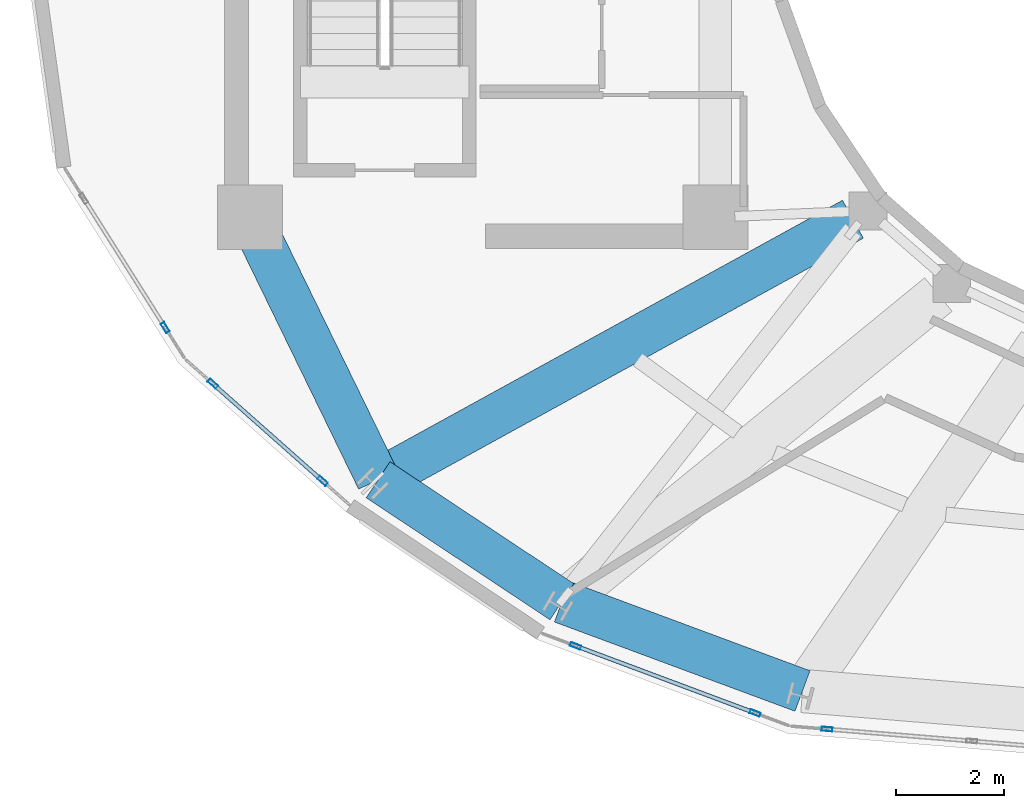
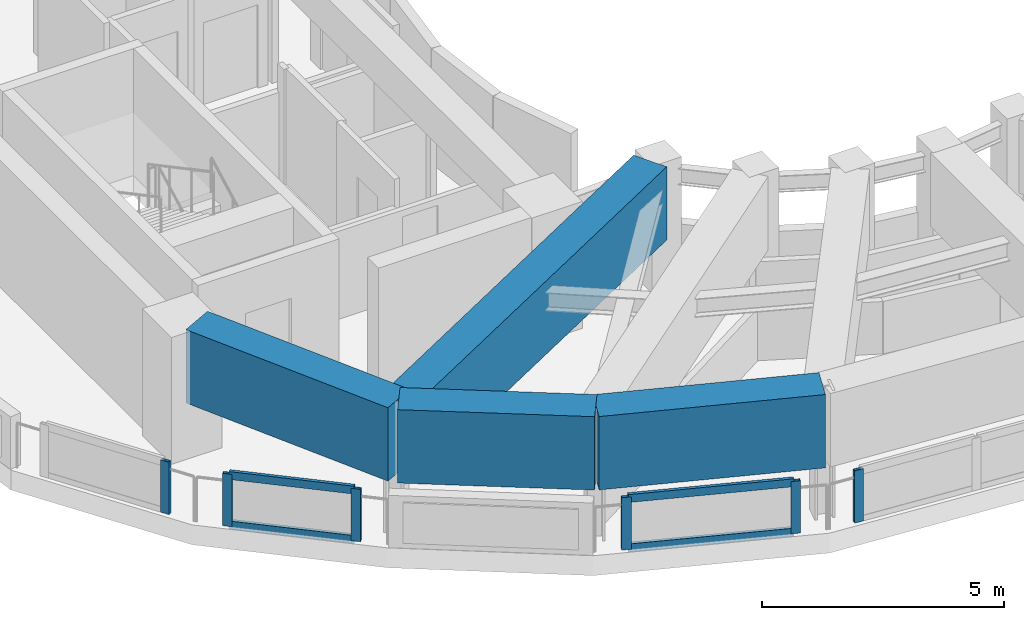
# One storey, part 2 of 21: 10 members, 4 beams, 4 elements without a shape of their own.
"""IFC4 building model written with IfcOpenShell, lengths in metres."""

import ifcopenshell
import ifcopenshell.guid

model = None  # the IFC model being written
_history = None  # IfcOwnerHistory: only IFC2X3 demands one
_inside = {}  # id of a spatial element -> (the spatial element, [elements in it])
_under = {}  # id of a project, library or spatial element -> (it, [spatial elements below it])
_declared = {}  # id of a project -> (the project, [libraries it declares])
_typed = {}  # id of a type object -> (the type object, [elements of that type])
_made_of = {}  # id of a material, layer set ... -> (it, [elements and type objects made of it])


def new_model(schema):
    """Start an empty IFC model of exactly this schema.

    Asked for "IFC4X3", IfcOpenShell would pick the latest addendum, in which some entities
    have other attributes; the version numbers below select the first issue.
    IFC2X3 requires an IfcOwnerHistory on every rooted entity: one is made here for all.
    """
    global model, _history
    if schema == "IFC4X3":
        model = ifcopenshell.file(schema_version=(4, 3, 0, 0))
    else:
        model = ifcopenshell.file(schema=schema)
    _inside.clear()
    _under.clear()
    _declared.clear()
    _typed.clear()
    _made_of.clear()
    _history = None
    if model.schema == "IFC2X3":
        org = make("IfcOrganization", Name="unknown")
        user = make(
            "IfcPersonAndOrganization",
            ThePerson=make("IfcPerson", FamilyName="unknown"),
            TheOrganization=org,
        )
        app = make(
            "IfcApplication",
            ApplicationDeveloper=org,
            Version="unknown",
            ApplicationFullName="unknown",
            ApplicationIdentifier="unknown",
        )
        _history = make(
            "IfcOwnerHistory",
            OwningUser=user,
            OwningApplication=app,
            ChangeAction="ADDED",
            CreationDate=0,
        )
    return model


def make(cls, **values):
    """One entity of the class cls with the attributes given. An attribute that is None is left unset."""
    return model.create_entity(
        cls, **{name: value for name, value in values.items() if value is not None}
    )


def rooted(cls, **values):
    """An entity with a GlobalId (a new one), such as an element, a storey or a relation."""
    return make(cls, GlobalId=ifcopenshell.guid.new(), OwnerHistory=_history, **values)


def si_unit(unit_type, name, prefix=None):
    """IfcSIUnit, for example si_unit("LENGTHUNIT", "METRE", prefix="MILLI")."""
    return make("IfcSIUnit", UnitType=unit_type, Prefix=prefix, Name=name)


def assignment(units):
    """IfcUnitAssignment: the units of a project."""
    return None if units is None else make("IfcUnitAssignment", Units=units)


def point(xyz):
    """IfcCartesianPoint."""
    return None if xyz is None else make("IfcCartesianPoint", Coordinates=xyz)


def direction(xyz):
    """IfcDirection."""
    return None if xyz is None else make("IfcDirection", DirectionRatios=xyz)


def frame(location, z_axis=None, x_axis=None):
    """IfcAxis2Placement3D, a coordinate frame: its origin and axes. An axis left out is left unset."""
    return make(
        "IfcAxis2Placement3D",
        Location=point(location),
        Axis=direction(z_axis),
        RefDirection=direction(x_axis),
    )


def frame_2d(location, x_axis=None):
    """IfcAxis2Placement2D, a coordinate frame in the plane: its origin and x axis."""
    return make(
        "IfcAxis2Placement2D", Location=point(location), RefDirection=direction(x_axis)
    )


def origin():
    """The frame at (0, 0, 0) with its axes left unset."""
    return frame((0.0, 0.0, 0.0))


def origin_2d():
    """The frame at (0, 0) in the plane with its x axis left unset."""
    return frame_2d((0.0, 0.0))


def place(relative_to, where):
    """IfcLocalPlacement: puts the frame where relative to a parent placement (None: the world)."""
    return make(
        "IfcLocalPlacement", PlacementRelTo=relative_to, RelativePlacement=where
    )


def context(
    kind, dimensions, precision=None, world=None, true_north=None, identifier=None
):
    """IfcGeometricRepresentationContext, for example the 3D "Model" context."""
    return make(
        "IfcGeometricRepresentationContext",
        ContextIdentifier=identifier,
        ContextType=kind,
        CoordinateSpaceDimension=dimensions,
        Precision=precision,
        WorldCoordinateSystem=world,
        TrueNorth=true_north,
    )


def subcontext(parent, identifier, kind, view, scale=None):
    """IfcGeometricRepresentationSubContext, for example "Body" below "Model"."""
    return make(
        "IfcGeometricRepresentationSubContext",
        ContextIdentifier=identifier,
        ContextType=kind,
        ParentContext=parent,
        TargetScale=scale,
        TargetView=view,
    )


def project(units=None, contexts=None):
    """IfcProject with its units and contexts."""
    return rooted(
        "IfcProject",
        Name="project",
        RepresentationContexts=contexts,
        UnitsInContext=assignment(units),
    )


def spatial(cls, under=None, at=None, **own):
    """A site, building, storey or space (cls), placed at a placement, below another one or the project."""
    s = rooted(cls, ObjectPlacement=at, **own)
    if under is not None:
        _under.setdefault(under.id(), (under, []))[1].append(s)
    return s


def profile(cls, at=None, kind="AREA", **sizes):
    """A parametric profile (cls). Its sizes go by their IFC names, for example OverallWidth=200.0."""
    return make(cls, ProfileType=kind, Position=at, **sizes)


def rectangle(**sizes):
    """IfcRectangleProfileDef."""
    return profile("IfcRectangleProfileDef", **sizes)


def hollow_rectangle(**sizes):
    """IfcRectangleHollowProfileDef."""
    return profile("IfcRectangleHollowProfileDef", **sizes)


def extrude(swept, where, along, depth):
    """IfcExtrudedAreaSolid: the profile swept, set in the frame where, extruded along a direction by depth."""
    return make(
        "IfcExtrudedAreaSolid",
        SweptArea=swept,
        Position=where,
        ExtrudedDirection=direction(along),
        Depth=depth,
    )


def shape(context_of_items, identifier, shape_type, items):
    """IfcShapeRepresentation: the items that make up one representation, for example the "Body"."""
    return make(
        "IfcShapeRepresentation",
        ContextOfItems=context_of_items,
        RepresentationIdentifier=identifier,
        RepresentationType=shape_type,
        Items=items,
    )


def material(Name=None, Category=None):
    """IfcMaterial."""
    return make("IfcMaterial", Name=Name, Category=Category)


def layer(
    of_material, thickness, ventilated=None, Name=None, Category=None, Priority=None
):
    """IfcMaterialLayer: one layer of a wall or slab, of a material (None: an air gap)."""
    return make(
        "IfcMaterialLayer",
        Material=of_material,
        LayerThickness=thickness,
        IsVentilated=ventilated,
        Name=Name,
        Category=Category,
        Priority=Priority,
    )


def layer_set(layers, Name=None):
    """IfcMaterialLayerSet."""
    return make("IfcMaterialLayerSet", MaterialLayers=layers, LayerSetName=Name)


def material_profile(
    of_material, cross_section, Name=None, Category=None, Priority=None
):
    """IfcMaterialProfile: a cross section and its material."""
    return make(
        "IfcMaterialProfile",
        Name=Name,
        Material=of_material,
        Profile=cross_section,
        Priority=Priority,
        Category=Category,
    )


def profile_set(profiles, Name=None, composite=None):
    """IfcMaterialProfileSet."""
    return make(
        "IfcMaterialProfileSet",
        Name=Name,
        MaterialProfiles=profiles,
        CompositeProfile=composite,
    )


def made_of(thing, what):
    """Note that an element or type object is made of a material, layer set ...; save() writes the relation."""
    if what is not None:
        _made_of.setdefault(what.id(), (what, []))[1].append(thing)
    return thing


def type_object(cls, material=None, **own):
    """A type object (cls), such as IfcWallType, which elements share."""
    return made_of(rooted(cls, **own), material)


def element(
    cls,
    number,
    at=None,
    inside=None,
    cuts=None,
    type_object=None,
    material=None,
    context=None,
    identifier="Body",
    shape_type=None,
    held_by="IfcProductDefinitionShape",
    body=None,
    shapes=None,
    **own,
):
    """One element of the class cls, such as IfcWall. Its Tag is "e" and its number.

    at: its placement. inside: the storey or other place that contains it. cuts: it is an
    opening in that element (IfcRelVoidsElement). A single representation is given by context,
    identifier, shape_type and body (its items); several are given by shapes. held_by: the class
    of the entity that holds the representations. save() writes the other relations.
    """
    e = rooted(cls, Tag="e%d" % number, ObjectPlacement=at, **own)
    if body is not None:
        shapes = [shape(context, identifier, shape_type, body)]
    if shapes is not None:
        e.Representation = make(held_by, Representations=shapes)
    if inside is not None:
        _inside.setdefault(inside.id(), (inside, []))[1].append(e)
    if cuts is not None:
        rooted(
            "IfcRelVoidsElement", RelatingBuildingElement=cuts, RelatedOpeningElement=e
        )
    if type_object is not None:
        _typed.setdefault(type_object.id(), (type_object, []))[1].append(e)
    return made_of(e, material)


def aggregate(whole, parts):
    """IfcRelAggregates: a whole, such as a stair, and the parts it consists of."""
    return rooted("IfcRelAggregates", RelatingObject=whole, RelatedObjects=parts)


def save(model, path):
    """Write the relations noted so far, then the file.

    IfcRelAggregates (storeys below a building ...), IfcRelContainedInSpatialStructure (elements
    in a storey), IfcRelDefinesByType, IfcRelAssociatesMaterial and IfcRelDeclares: one each for
    every whole, place, type object, material and project.
    """
    for whole, parts in _under.values():
        aggregate(whole, parts)
    for where, things in _inside.values():
        rooted(
            "IfcRelContainedInSpatialStructure",
            RelatedElements=things,
            RelatingStructure=where,
        )
    for kind, things in _typed.values():
        rooted("IfcRelDefinesByType", RelatedObjects=things, RelatingType=kind)
    for what, things in _made_of.values():
        rooted("IfcRelAssociatesMaterial", RelatedObjects=things, RelatingMaterial=what)
    for by, libraries in _declared.values():
        rooted("IfcRelDeclares", RelatingContext=by, RelatedDefinitions=libraries)
    model.write(path)


model = new_model("IFC4")

# Units and contexts
model_context = context("Model", 3, precision=1e-05, world=origin(), true_north=direction((0.0, 1.0)))
body_context = subcontext(model_context, "Body", "Model", "MODEL_VIEW")
ifc_project = project(units=[si_unit("LENGTHUNIT", "METRE"), si_unit("AREAUNIT", "SQUARE_METRE"), si_unit("VOLUMEUNIT", "CUBIC_METRE"), si_unit("PLANEANGLEUNIT", "RADIAN"), si_unit("MASSUNIT", "GRAM", prefix="KILO")], contexts=[model_context])

# Site, building, storey
site_placement = place(None, origin())
site = spatial("IfcSite", under=ifc_project, at=site_placement, CompositionType="ELEMENT")
building_placement = place(site_placement, origin())
building = spatial("IfcBuilding", under=site, at=building_placement, Name="Solvane Sanctuary Tower", CompositionType="ELEMENT")
storey_placement = place(building_placement, frame((0.0, 0.0, 260.39990234375)))
storey = spatial("IfcBuildingStorey", under=building, at=storey_placement, Name="L79", CompositionType="ELEMENT", Elevation=260.39990234375)

# Beams
ifc_material_1 = material(Name="Concrete C70/85", Category="concrete")
ifc_material_profile_1 = material_profile(ifc_material_1, rectangle(XDim=0.800048828125, YDim=1.85009765625, at=origin_2d()), Name="RC800X1850")
ifc_profile_set_1 = profile_set([ifc_material_profile_1], Name="Concrete C70/85")
beam_type = type_object("IfcBeamType", Name="Beam B-XFER-BLK RC800X1850", PredefinedType="BEAM", material=ifc_profile_set_1)
beam_1_placement = place(storey_placement, frame((26.444580078125, 16.86376953125, 2.275146484375), z_axis=(-0.876295544631, -0.481773928787, 0.0), x_axis=(0.481773928787, -0.876295544631, 0.0)))
element("IfcBeam", 1, at=beam_1_placement, inside=storey, type_object=beam_type, Name="L79 Block-Shift Radial Transfer Girder 08A", PredefinedType="BEAM", context=body_context, shape_type="SweptSolid", body=[
    extrude(rectangle(XDim=0.800048828125, YDim=1.85009765625, at=origin_2d()), origin(), (0.0, 0.0, 1.0), 10.03125),
])
beam_2_placement = place(storey_placement, frame((15.457763671875, 16.576416015625, 2.275146484375), z_axis=(0.438353943191, -0.898802436851, 0.0), x_axis=(0.898802436851, 0.438353943191, 0.0)))
element("IfcBeam", 2, at=beam_2_placement, inside=storey, type_object=beam_type, Name="L79 Perimeter Step Transfer Ring CW1-NTC08", PredefinedType="BEAM", context=body_context, shape_type="SweptSolid", body=[
    extrude(rectangle(XDim=0.800048828125, YDim=1.85009765625, at=origin_2d()), origin(), (0.0, 0.0, 1.0), 5.038818359375),
])
beam_3_placement = place(storey_placement, frame((17.66650390625, 12.047607421875, 2.275146484375), z_axis=(0.833190720358, -0.552985735357, 0.0), x_axis=(0.552985735357, 0.833190720358, 0.0)))
element("IfcBeam", 3, at=beam_3_placement, inside=storey, type_object=beam_type, Name="L79 Perimeter Step Transfer Ring NTC08-NTC09", PredefinedType="BEAM", context=body_context, shape_type="SweptSolid", body=[
    extrude(rectangle(XDim=0.800048828125, YDim=1.85009765625, at=origin_2d()), origin(), (0.0, 0.0, 1.0), 4.07763671875),
])
beam_4_placement = place(storey_placement, frame((21.06396484375, 9.792724609375, 2.275146484375), z_axis=(0.937541853236, -0.347872495939, 0.0), x_axis=(0.347872495939, 0.937541853236, 0.0)))
element("IfcBeam", 4, at=beam_4_placement, inside=storey, type_object=beam_type, Name="L79 Perimeter Step Transfer Ring NTC09-NTC10", PredefinedType="BEAM", context=body_context, shape_type="SweptSolid", body=[
    extrude(rectangle(XDim=0.800048828125, YDim=1.85009765625, at=origin_2d()), origin(), (0.0, 0.0, 1.0), 4.74365234375),
])

# Curtain wall, member
ifc_material_2 = material(Name="Anodised Aluminium 6063-T6", Category="aluminium")
ifc_layer = layer(ifc_material_2, 0.219970703125, Name="Anodised Aluminium 6063-T6")
ifc_layer_set = layer_set([ifc_layer], Name="Anodised Aluminium 6063-T6")
curtain_wall_type = type_object("IfcCurtainWallType", Name="Curtain Wall CW-CROWN", PredefinedType="NOTDEFINED", material=ifc_layer_set)
curtain_wall_1_placement = place(storey_placement, origin())
curtain_wall_1 = element("IfcCurtainWall", 5, at=curtain_wall_1_placement, inside=storey, type_object=curtain_wall_type, Name="L79 Crown Fritted Lantern Curtain Wall 13", PredefinedType="NOTDEFINED")
ifc_material_profile_2 = material_profile(ifc_material_2, hollow_rectangle(XDim=0.074951171875, YDim=0.199951171875, WallThickness=0.00390625, at=origin_2d()), Name="ALU200X75X4")
ifc_profile_set_2 = profile_set([ifc_material_profile_2], Name="Anodised Aluminium 6063-T6")
member_type_1 = type_object("IfcMemberType", Name="Member M-CW-MUL-1 ALU200X75X4", PredefinedType="MULLION", material=ifc_profile_set_2)
member_1_placement = place(storey_placement, frame((13.730712890625, 14.86083984375, 0.0), z_axis=(0.0, 0.0, 1.0), x_axis=(0.845808282613, 0.533486971784, 0.0)))
member_1 = element("IfcMember", 6, at=member_1_placement, type_object=member_type_1, Name="CW-CROWN mullion 2", PredefinedType="MULLION", context=body_context, shape_type="SweptSolid", body=[
    extrude(hollow_rectangle(XDim=0.074951171875, YDim=0.199951171875, WallThickness=0.00390625, at=origin_2d()), origin(), (0.0, 0.0, 1.0), 1.320068359375),
])
aggregate(curtain_wall_1, [member_1])

# Curtain wall, members
curtain_wall_2_placement = place(storey_placement, origin())
curtain_wall_2 = element("IfcCurtainWall", 7, at=curtain_wall_2_placement, inside=storey, type_object=curtain_wall_type, Name="L79 Crown Fritted Lantern Curtain Wall 14", PredefinedType="NOTDEFINED")
member_2_placement = place(storey_placement, frame((14.61181640625, 13.8232421875, 0.0), z_axis=(0.0, 0.0, 1.0), x_axis=(0.66330660014, 0.74834774952, 0.0)))
member_2 = element("IfcMember", 8, at=member_2_placement, type_object=member_type_1, Name="CW-CROWN mullion 1", PredefinedType="MULLION", context=body_context, shape_type="SweptSolid", body=[
    extrude(hollow_rectangle(XDim=0.074951171875, YDim=0.199951171875, WallThickness=0.00390625, at=origin_2d()), origin(), (0.0, 0.0, 1.0), 1.320068359375),
])
member_3_placement = place(storey_placement, frame((16.6396484375, 12.026123046875, 0.0), z_axis=(0.0, 0.0, 1.0), x_axis=(0.66330660014, 0.74834774952, 0.0)))
member_3 = element("IfcMember", 9, at=member_3_placement, type_object=member_type_1, Name="CW-CROWN mullion 2", PredefinedType="MULLION", context=body_context, shape_type="SweptSolid", body=[
    extrude(hollow_rectangle(XDim=0.074951171875, YDim=0.199951171875, WallThickness=0.00390625, at=origin_2d()), origin(), (0.0, 0.0, 1.0), 1.320068359375),
])

curtain_wall_3_placement = place(storey_placement, origin())
curtain_wall_3 = element("IfcCurtainWall", 10, at=curtain_wall_3_placement, inside=storey, type_object=curtain_wall_type, Name="L79 Crown Fritted Lantern Curtain Wall 16", PredefinedType="NOTDEFINED")
member_4_placement = place(storey_placement, frame((21.31689453125, 8.97607421875, 0.0), z_axis=(0.0, 0.0, 1.0), x_axis=(0.350162997497, 0.936688782459, 0.0)))
member_4 = element("IfcMember", 11, at=member_4_placement, type_object=member_type_1, Name="CW-CROWN mullion 1", PredefinedType="MULLION", context=body_context, shape_type="SweptSolid", body=[
    extrude(hollow_rectangle(XDim=0.074951171875, YDim=0.199951171875, WallThickness=0.00390625, at=origin_2d()), origin(), (0.0, 0.0, 1.0), 1.320068359375),
])
member_5_placement = place(storey_placement, frame((24.63525390625, 7.735595703125, 0.0), z_axis=(0.0, 0.0, 1.0), x_axis=(0.350162997497, 0.936688782459, 0.0)))
member_5 = element("IfcMember", 12, at=member_5_placement, type_object=member_type_1, Name="CW-CROWN mullion 2", PredefinedType="MULLION", context=body_context, shape_type="SweptSolid", body=[
    extrude(hollow_rectangle(XDim=0.074951171875, YDim=0.199951171875, WallThickness=0.00390625, at=origin_2d()), origin(), (0.0, 0.0, 1.0), 1.320068359375),
])

# Curtain wall, member
curtain_wall_4_placement = place(storey_placement, origin())
curtain_wall_4 = element("IfcCurtainWall", 13, at=curtain_wall_4_placement, inside=storey, type_object=curtain_wall_type, Name="L79 Crown Fritted Lantern Curtain Wall 17", PredefinedType="NOTDEFINED")
member_6_placement = place(storey_placement, frame((25.96435546875, 7.438232421875, 0.0), z_axis=(0.0, 0.0, 1.0), x_axis=(0.082279236206, 0.996609315273, 0.0)))
member_6 = element("IfcMember", 14, at=member_6_placement, type_object=member_type_1, Name="CW-CROWN mullion 1", PredefinedType="MULLION", context=body_context, shape_type="SweptSolid", body=[
    extrude(hollow_rectangle(XDim=0.074951171875, YDim=0.199951171875, WallThickness=0.00390625, at=origin_2d()), origin(), (0.0, 0.0, 1.0), 1.320068359375),
])
aggregate(curtain_wall_4, [member_6])

# Member
ifc_material_profile_3 = material_profile(ifc_material_2, hollow_rectangle(XDim=0.074951171875, YDim=0.199951171875, WallThickness=0.00390625, at=origin_2d()), Name="ALU200X75X4")
ifc_profile_set_3 = profile_set([ifc_material_profile_3], Name="Anodised Aluminium 6063-T6")
member_type_2 = type_object("IfcMemberType", Name="Member M-CW-TRN-2 ALU200X75X4", PredefinedType="USERDEFINED", material=ifc_profile_set_3)
member_7_placement = place(storey_placement, frame((14.639892578125, 13.79833984375, 0.03759765625), z_axis=(0.748405481865, -0.66324146034, 0.0), x_axis=(0.66324146034, 0.748405481865, 0.0)))
member_7 = element("IfcMember", 15, at=member_7_placement, type_object=member_type_2, Name="CW-CROWN transom 1.1", ObjectType="TRANSOM", PredefinedType="USERDEFINED", context=body_context, shape_type="SweptSolid", body=[
    extrude(hollow_rectangle(XDim=0.074951171875, YDim=0.199951171875, WallThickness=0.00390625, at=origin_2d()), origin(), (0.0, 0.0, 1.0), 2.634521484375),
])

member_8_placement = place(storey_placement, frame((14.639892578125, 13.79833984375, 1.28271484375), z_axis=(0.748405481865, -0.66324146034, 0.0), x_axis=(0.66324146034, 0.748405481865, 0.0)))
member_8 = element("IfcMember", 16, at=member_8_placement, type_object=member_type_2, Name="CW-CROWN transom 1.2", ObjectType="TRANSOM", PredefinedType="USERDEFINED", context=body_context, shape_type="SweptSolid", body=[
    extrude(hollow_rectangle(XDim=0.074951171875, YDim=0.199951171875, WallThickness=0.00390625, at=origin_2d()), origin(), (0.0, 0.0, 1.0), 2.634521484375),
])

aggregate(curtain_wall_2, [member_2, member_3, member_7, member_8])

member_9_placement = place(storey_placement, frame((21.35205078125, 8.963134765625, 0.03759765625), z_axis=(0.936675925427, -0.350197388235, 0.0), x_axis=(0.350197388235, 0.936675925427, 0.0)))
member_9 = element("IfcMember", 17, at=member_9_placement, type_object=member_type_2, Name="CW-CROWN transom 1.1", ObjectType="TRANSOM", PredefinedType="USERDEFINED", context=body_context, shape_type="SweptSolid", body=[
    extrude(hollow_rectangle(XDim=0.074951171875, YDim=0.199951171875, WallThickness=0.00390625, at=origin_2d()), origin(), (0.0, 0.0, 1.0), 3.467529296875),
])

member_10_placement = place(storey_placement, frame((21.35205078125, 8.963134765625, 1.28271484375), z_axis=(0.936675925427, -0.350197388235, 0.0), x_axis=(0.350197388235, 0.936675925427, 0.0)))
member_10 = element("IfcMember", 18, at=member_10_placement, type_object=member_type_2, Name="CW-CROWN transom 1.2", ObjectType="TRANSOM", PredefinedType="USERDEFINED", context=body_context, shape_type="SweptSolid", body=[
    extrude(hollow_rectangle(XDim=0.074951171875, YDim=0.199951171875, WallThickness=0.00390625, at=origin_2d()), origin(), (0.0, 0.0, 1.0), 3.467529296875),
])

aggregate(curtain_wall_3, [member_4, member_5, member_9, member_10])

save(model, "model.ifc")
